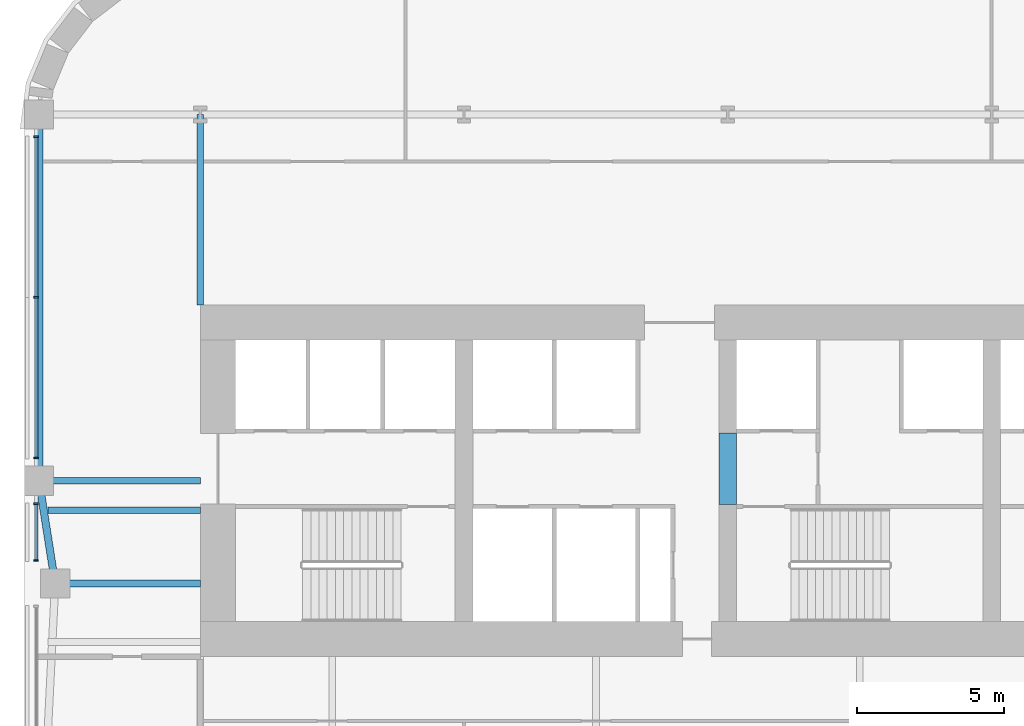
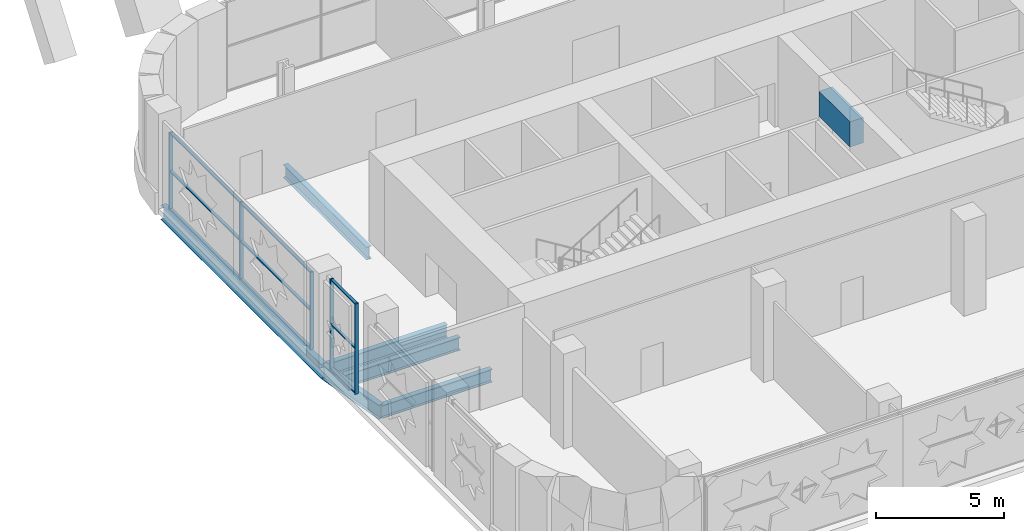
# One storey, part 4 of 24: 14 members, 7 beams, 2 elements without a shape of their own.
"""IFC4 building model written with IfcOpenShell, lengths in metres."""

from ifc_helpers import new_model, si_unit, direction, frame, origin, origin_2d, place, context, subcontext, project, spatial, rectangle, i_section, extrude, material, material_profile, profile_set, type_object, element, aggregate, save


model = new_model("IFC4")

# Units and contexts
model_context = context("Model", 3, precision=1e-05, world=origin(), true_north=direction((0.0, 1.0)))
body_context = subcontext(model_context, "Body", "Model", "MODEL_VIEW")
ifc_project = project(units=[si_unit("LENGTHUNIT", "METRE"), si_unit("AREAUNIT", "SQUARE_METRE"), si_unit("VOLUMEUNIT", "CUBIC_METRE"), si_unit("PLANEANGLEUNIT", "RADIAN"), si_unit("MASSUNIT", "GRAM", prefix="KILO")], contexts=[model_context])

# Site, building, storey
site_placement = place(None, origin())
site = spatial("IfcSite", under=ifc_project, at=site_placement, CompositionType="ELEMENT")
building_placement = place(site_placement, origin())
building = spatial("IfcBuilding", under=site, at=building_placement, Name="Zellij Exchange Tower", CompositionType="ELEMENT")
storey_placement = place(building_placement, frame((0.0, 0.0, 48.0)))
storey = spatial("IfcBuildingStorey", under=building, at=storey_placement, Name="L08", CompositionType="ELEMENT", Elevation=48.0)

# Beam
ifc_material_1 = material(Name="Concrete C70/85", Category="concrete")
ifc_material_profile_1 = material_profile(ifc_material_1, rectangle(XDim=0.60009765625, YDim=1.199951171875, at=origin_2d()), Name="CORE-CB 600x1200 C70/85")
ifc_profile_set_1 = profile_set([ifc_material_profile_1], Name="Concrete C70/85")
beam_type_1 = type_object("IfcBeamType", Name="CORE-CB 600x1200 C70/85", PredefinedType="BEAM", material=ifc_profile_set_1)
beam_1_placement = place(storey_placement, frame((-9.0, -8.800048828125, 3.0), z_axis=(0.0, 1.0, 0.0), x_axis=(-1.0, 0.0, 0.0)))
element("IfcBeam", 1, at=beam_1_placement, inside=storey, type_object=beam_type_1, Name="Core coupling beam x -9 L08", PredefinedType="BEAM", context=body_context, shape_type="SweptSolid", body=[
    extrude(rectangle(XDim=0.60009765625, YDim=1.199951171875, at=origin_2d()), origin(), (0.0, 0.0, 1.0), 2.425048828125),
])

# Curtain wall, members
ifc_material_2 = material(Name="Aluminium frame, clear insulating glass", Category="aluminium")
curtain_wall_type = type_object("IfcCurtainWallType", Name="ENV-CW1 Sky-garden glazing", PredefinedType="NOTDEFINED", material=ifc_material_2)
curtain_wall_1_placement = place(storey_placement, origin())
curtain_wall_1 = element("IfcCurtainWall", 2, at=curtain_wall_1_placement, inside=storey, type_object=curtain_wall_type, Name="cw.L08.21a", PredefinedType="NOTDEFINED")
ifc_material_3 = material(Name="Aluminium", Category="aluminium")
ifc_material_profile_2 = material_profile(ifc_material_3, rectangle(XDim=0.06005859375, YDim=0.159912109375, at=origin_2d()), Name="AL 60x160")
ifc_profile_set_2 = profile_set([ifc_material_profile_2], Name="Aluminium")
member_type_1 = type_object("IfcMemberType", Name="ENV-CW1M Mullion 60x160", PredefinedType="MULLION", material=ifc_profile_set_2)
member_1_placement = place(storey_placement, frame((-32.60009765625, 3.743896484375, 0.0), z_axis=(0.0, 0.0, 1.0), x_axis=(0.0, -1.0, 0.0)))
member_1 = element("IfcMember", 3, at=member_1_placement, type_object=member_type_1, Name="CW1 mullion 1", PredefinedType="MULLION", context=body_context, shape_type="SweptSolid", body=[
    extrude(rectangle(XDim=0.06005859375, YDim=0.159912109375, at=origin_2d()), origin(), (0.0, 0.0, 1.0), 3.677734375),
])
member_2_placement = place(storey_placement, frame((-32.60009765625, -1.738037109375, 0.0), z_axis=(0.0, 0.0, 1.0), x_axis=(0.0, -1.0, 0.0)))
member_2 = element("IfcMember", 4, at=member_2_placement, type_object=member_type_1, Name="CW1 mullion 2", PredefinedType="MULLION", context=body_context, shape_type="SweptSolid", body=[
    extrude(rectangle(XDim=0.06005859375, YDim=0.159912109375, at=origin_2d()), origin(), (0.0, 0.0, 1.0), 3.677734375),
])
member_3_placement = place(storey_placement, frame((-32.60009765625, -7.219970703125, 0.0), z_axis=(0.0, 0.0, 1.0), x_axis=(0.0, -1.0, 0.0)))
member_3 = element("IfcMember", 5, at=member_3_placement, type_object=member_type_1, Name="CW1 mullion 3", PredefinedType="MULLION", context=body_context, shape_type="SweptSolid", body=[
    extrude(rectangle(XDim=0.06005859375, YDim=0.159912109375, at=origin_2d()), origin(), (0.0, 0.0, 1.0), 3.677734375),
])

curtain_wall_2_placement = place(storey_placement, origin())
curtain_wall_2 = element("IfcCurtainWall", 6, at=curtain_wall_2_placement, inside=storey, type_object=curtain_wall_type, Name="cw.L08.21b", PredefinedType="NOTDEFINED")
member_4_placement = place(storey_placement, frame((-32.60009765625, -8.780029296875, 0.0), z_axis=(0.0, 0.0, 1.0), x_axis=(0.0, -1.0, 0.0)))
member_4 = element("IfcMember", 7, at=member_4_placement, type_object=member_type_1, Name="CW1 mullion 1", PredefinedType="MULLION", context=body_context, shape_type="SweptSolid", body=[
    extrude(rectangle(XDim=0.06005859375, YDim=0.159912109375, at=origin_2d()), origin(), (0.0, 0.0, 1.0), 4.300048828125),
])
member_5_placement = place(storey_placement, frame((-32.60009765625, -10.719970703125, 0.0), z_axis=(0.0, 0.0, 1.0), x_axis=(0.0, -1.0, 0.0)))
member_5 = element("IfcMember", 8, at=member_5_placement, type_object=member_type_1, Name="CW1 mullion 2", PredefinedType="MULLION", context=body_context, shape_type="SweptSolid", body=[
    extrude(rectangle(XDim=0.06005859375, YDim=0.159912109375, at=origin_2d()), origin(), (0.0, 0.0, 1.0), 4.300048828125),
])

# Member
ifc_material_profile_3 = material_profile(ifc_material_3, rectangle(XDim=0.1201171875, YDim=0.06005859375, at=origin_2d()), Name="AL 120x60")
ifc_profile_set_3 = profile_set([ifc_material_profile_3], Name="Aluminium")
member_type_2 = type_object("IfcMemberType", Name="ENV-CW1T Transom 120x60", PredefinedType="USERDEFINED", material=ifc_profile_set_3)
member_6_placement = place(storey_placement, frame((-32.60009765625, 3.7138671875, 0.030029296875), z_axis=(0.0, -1.0, 0.0), x_axis=(1.0, 0.0, 0.0)))
member_6 = element("IfcMember", 9, at=member_6_placement, type_object=member_type_2, Name="CW1 transom 1.1", ObjectType="TRANSOM", PredefinedType="USERDEFINED", context=body_context, shape_type="SweptSolid", body=[
    extrude(rectangle(XDim=0.1201171875, YDim=0.06005859375, at=origin_2d()), origin(), (0.0, 0.0, 1.0), 5.421875),
])

member_7_placement = place(storey_placement, frame((-32.60009765625, 3.7138671875, 1.8388671875), z_axis=(0.0, -1.0, 0.0), x_axis=(1.0, 0.0, 0.0)))
member_7 = element("IfcMember", 10, at=member_7_placement, type_object=member_type_2, Name="CW1 transom 1.2", ObjectType="TRANSOM", PredefinedType="USERDEFINED", context=body_context, shape_type="SweptSolid", body=[
    extrude(rectangle(XDim=0.1201171875, YDim=0.06005859375, at=origin_2d()), origin(), (0.0, 0.0, 1.0), 5.421875),
])

member_8_placement = place(storey_placement, frame((-32.60009765625, 3.7138671875, 3.647705078125), z_axis=(0.0, -1.0, 0.0), x_axis=(1.0, 0.0, 0.0)))
member_8 = element("IfcMember", 11, at=member_8_placement, type_object=member_type_2, Name="CW1 transom 1.3", ObjectType="TRANSOM", PredefinedType="USERDEFINED", context=body_context, shape_type="SweptSolid", body=[
    extrude(rectangle(XDim=0.1201171875, YDim=0.06005859375, at=origin_2d()), origin(), (0.0, 0.0, 1.0), 5.421875),
])

member_9_placement = place(storey_placement, frame((-32.60009765625, -1.76806640625, 0.030029296875), z_axis=(0.0, -1.0, 0.0), x_axis=(1.0, 0.0, 0.0)))
member_9 = element("IfcMember", 12, at=member_9_placement, type_object=member_type_2, Name="CW1 transom 2.1", ObjectType="TRANSOM", PredefinedType="USERDEFINED", context=body_context, shape_type="SweptSolid", body=[
    extrude(rectangle(XDim=0.1201171875, YDim=0.06005859375, at=origin_2d()), origin(), (0.0, 0.0, 1.0), 5.421875),
])

member_10_placement = place(storey_placement, frame((-32.60009765625, -1.76806640625, 1.8388671875), z_axis=(0.0, -1.0, 0.0), x_axis=(1.0, 0.0, 0.0)))
member_10 = element("IfcMember", 13, at=member_10_placement, type_object=member_type_2, Name="CW1 transom 2.2", ObjectType="TRANSOM", PredefinedType="USERDEFINED", context=body_context, shape_type="SweptSolid", body=[
    extrude(rectangle(XDim=0.1201171875, YDim=0.06005859375, at=origin_2d()), origin(), (0.0, 0.0, 1.0), 5.421875),
])

member_11_placement = place(storey_placement, frame((-32.60009765625, -1.76806640625, 3.647705078125), z_axis=(0.0, -1.0, 0.0), x_axis=(1.0, 0.0, 0.0)))
member_11 = element("IfcMember", 14, at=member_11_placement, type_object=member_type_2, Name="CW1 transom 2.3", ObjectType="TRANSOM", PredefinedType="USERDEFINED", context=body_context, shape_type="SweptSolid", body=[
    extrude(rectangle(XDim=0.1201171875, YDim=0.06005859375, at=origin_2d()), origin(), (0.0, 0.0, 1.0), 5.421875),
])

aggregate(curtain_wall_1, [member_1, member_2, member_3, member_6, member_7, member_8, member_9, member_10, member_11])

member_12_placement = place(storey_placement, frame((-32.60009765625, -8.81005859375, 0.030029296875), z_axis=(0.0, -1.0, 0.0), x_axis=(1.0, 0.0, 0.0)))
member_12 = element("IfcMember", 15, at=member_12_placement, type_object=member_type_2, Name="CW1 transom 1.1", ObjectType="TRANSOM", PredefinedType="USERDEFINED", context=body_context, shape_type="SweptSolid", body=[
    extrude(rectangle(XDim=0.1201171875, YDim=0.06005859375, at=origin_2d()), origin(), (0.0, 0.0, 1.0), 1.8798828125),
])

member_13_placement = place(storey_placement, frame((-32.60009765625, -8.81005859375, 2.14990234375), z_axis=(0.0, -1.0, 0.0), x_axis=(1.0, 0.0, 0.0)))
member_13 = element("IfcMember", 16, at=member_13_placement, type_object=member_type_2, Name="CW1 transom 1.2", ObjectType="TRANSOM", PredefinedType="USERDEFINED", context=body_context, shape_type="SweptSolid", body=[
    extrude(rectangle(XDim=0.1201171875, YDim=0.06005859375, at=origin_2d()), origin(), (0.0, 0.0, 1.0), 1.8798828125),
])

member_14_placement = place(storey_placement, frame((-32.60009765625, -8.81005859375, 4.27001953125), z_axis=(0.0, -1.0, 0.0), x_axis=(1.0, 0.0, 0.0)))
member_14 = element("IfcMember", 17, at=member_14_placement, type_object=member_type_2, Name="CW1 transom 1.3", ObjectType="TRANSOM", PredefinedType="USERDEFINED", context=body_context, shape_type="SweptSolid", body=[
    extrude(rectangle(XDim=0.1201171875, YDim=0.06005859375, at=origin_2d()), origin(), (0.0, 0.0, 1.0), 1.8798828125),
])

aggregate(curtain_wall_2, [member_4, member_5, member_12, member_13, member_14])

# Beams
ifc_material_4 = material(Name="Structural steel ASTM A992 Gr 50", Category="steel")
ifc_material_profile_4 = material_profile(ifc_material_4, i_section(OverallWidth=0.22900390625, OverallDepth=0.612060546875, WebThickness=0.011962890625, FlangeThickness=0.01953125, at=origin_2d()), Name="W24x84")
ifc_profile_set_4 = profile_set([ifc_material_profile_4], Name="Structural steel ASTM A992 Gr 50")
beam_type_2 = type_object("IfcBeamType", Name="STR-BEAM W24x84", PredefinedType="BEAM", material=ifc_profile_set_4)
beam_2_placement = place(storey_placement, frame((-32.199951171875, -9.0, -0.55615234375), z_axis=(1.0, 0.0, 0.0), x_axis=(0.0, 1.0, 0.0)))
element("IfcBeam", 18, at=beam_2_placement, inside=storey, type_object=beam_type_2, Name="B6", PredefinedType="BEAM", context=body_context, shape_type="SweptSolid", body=[
    extrude(i_section(OverallWidth=0.22900390625, OverallDepth=0.612060546875, WebThickness=0.011962890625, FlangeThickness=0.01953125, at=origin_2d()), origin(), (0.0, 0.0, 1.0), 5.199951171875),
])
ifc_material_profile_5 = material_profile(ifc_material_4, i_section(OverallWidth=0.25390625, OverallDepth=0.67822265625, WebThickness=0.01171875, FlangeThickness=0.016357421875, at=origin_2d()), Name="W27x84")
ifc_profile_set_5 = profile_set([ifc_material_profile_5], Name="Structural steel ASTM A992 Gr 50")
beam_type_3 = type_object("IfcBeamType", Name="STR-EDGE GIRDER W27x84", PredefinedType="BEAM", material=ifc_profile_set_5)
beam_3_placement = place(storey_placement, frame((-31.949951171875, -11.5, -0.589111328125), z_axis=(-0.155251283593, 0.987875011802, 0.0), x_axis=(-0.987875011802, -0.155251283593, 0.0)))
element("IfcBeam", 19, at=beam_3_placement, inside=storey, type_object=beam_type_3, Name="EB7", PredefinedType="BEAM", context=body_context, shape_type="SweptSolid", body=[
    extrude(i_section(OverallWidth=0.25390625, OverallDepth=0.67822265625, WebThickness=0.01171875, FlangeThickness=0.016357421875, at=origin_2d()), origin(), (0.0, 0.0, 1.0), 3.54296875),
])
beam_4_placement = place(storey_placement, frame((-32.5, -8.0, -0.589111328125), z_axis=(0.0, 1.0, 0.0), x_axis=(-1.0, 0.0, 0.0)))
element("IfcBeam", 20, at=beam_4_placement, inside=storey, type_object=beam_type_3, Name="EB7", PredefinedType="BEAM", context=body_context, shape_type="SweptSolid", body=[
    extrude(i_section(OverallWidth=0.25390625, OverallDepth=0.67822265625, WebThickness=0.01171875, FlangeThickness=0.016357421875, at=origin_2d()), origin(), (0.0, 0.0, 1.0), 12.5),
])
ifc_material_profile_6 = material_profile(ifc_material_4, i_section(OverallWidth=0.22900390625, OverallDepth=0.612060546875, WebThickness=0.011962890625, FlangeThickness=0.01953125, at=origin_2d()), Name="W24x84")
ifc_profile_set_6 = profile_set([ifc_material_profile_6], Name="Structural steel ASTM A992 Gr 50")
beam_type_4 = type_object("IfcBeamType", Name="STR-GIRDER W24x84", PredefinedType="BEAM", material=ifc_profile_set_6)
beam_5_placement = place(storey_placement, frame((-31.949951171875, -11.5, -0.55615234375), z_axis=(1.0, 0.0, 0.0), x_axis=(0.0, 1.0, 0.0)))
element("IfcBeam", 21, at=beam_5_placement, inside=storey, type_object=beam_type_4, Name="G4", PredefinedType="BEAM", context=body_context, shape_type="SweptSolid", body=[
    extrude(i_section(OverallWidth=0.22900390625, OverallDepth=0.612060546875, WebThickness=0.011962890625, FlangeThickness=0.01953125, at=origin_2d()), origin(), (0.0, 0.0, 1.0), 4.949951171875),
])
beam_6_placement = place(storey_placement, frame((-32.5, -8.0, -0.55615234375), z_axis=(1.0, 0.0, 0.0), x_axis=(0.0, 1.0, 0.0)))
element("IfcBeam", 22, at=beam_6_placement, inside=storey, type_object=beam_type_4, Name="G4", PredefinedType="BEAM", context=body_context, shape_type="SweptSolid", body=[
    extrude(i_section(OverallWidth=0.22900390625, OverallDepth=0.612060546875, WebThickness=0.011962890625, FlangeThickness=0.01953125, at=origin_2d()), origin(), (0.0, 0.0, 1.0), 5.5),
])
beam_7_placement = place(storey_placement, frame((-27.0, -2.0, -0.55615234375), z_axis=(0.0, 1.0, 0.0), x_axis=(-1.0, 0.0, 0.0)))
element("IfcBeam", 23, at=beam_7_placement, inside=storey, type_object=beam_type_4, Name="G4", PredefinedType="BEAM", context=body_context, shape_type="SweptSolid", body=[
    extrude(i_section(OverallWidth=0.22900390625, OverallDepth=0.612060546875, WebThickness=0.011962890625, FlangeThickness=0.01953125, at=origin_2d()), origin(), (0.0, 0.0, 1.0), 6.5),
])

save(model, "model.ifc")
